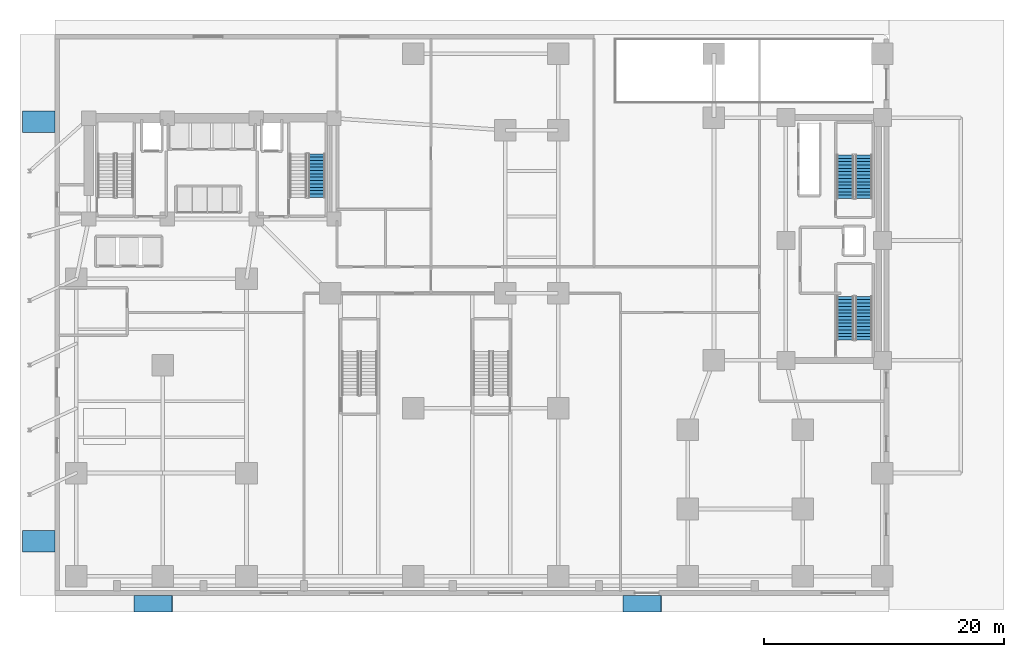
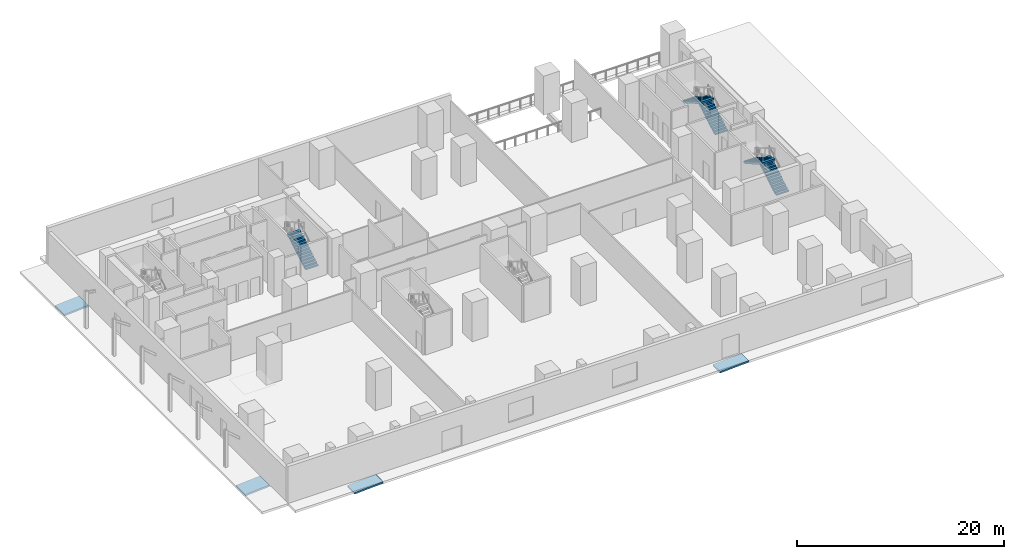
# One storey, part 10 of 14: 5 stair flights, 4 ramp flights, 7 elements without a shape of their own.
"""IFC4 building model written with IfcOpenShell, lengths in metres."""

from ifc_helpers import new_model, si_unit, direction, frame, origin, place, context, subcontext, project, spatial, polyline, outline, extrude, material, layer, layer_set, type_object, element, aggregate, save


model = new_model("IFC4")

# Units and contexts
model_context = context("Model", 3, precision=1e-05, world=origin(), true_north=direction((0.0, 1.0)))
body_context = subcontext(model_context, "Body", "Model", "MODEL_VIEW")
ifc_project = project(units=[si_unit("LENGTHUNIT", "METRE"), si_unit("AREAUNIT", "SQUARE_METRE"), si_unit("VOLUMEUNIT", "CUBIC_METRE"), si_unit("PLANEANGLEUNIT", "RADIAN"), si_unit("MASSUNIT", "GRAM", prefix="KILO")], contexts=[model_context])

# Site, building, storey
site_placement = place(None, origin())
site = spatial("IfcSite", under=ifc_project, at=site_placement, CompositionType="ELEMENT")
building_placement = place(site_placement, origin())
building = spatial("IfcBuilding", under=site, at=building_placement, Name="Kuzgunbayir Cultural Tower", CompositionType="ELEMENT")
storey_placement = place(building_placement, origin())
storey = spatial("IfcBuildingStorey", under=building, at=storey_placement, Name="L00", CompositionType="ELEMENT", Elevation=0.0)

# Stair, stair flight
ifc_material = material(Name="Concrete C40/50", Category="concrete")
stair_type = type_object("IfcStairType", Name="STR-EXIT-CORE", PredefinedType="HALF_TURN_STAIR", material=ifc_material)
stair_1_placement = place(storey_placement, origin())
stair_1 = element("IfcStair", 1, at=stair_1_placement, inside=storey, type_object=stair_type, Name="L00 ST-2", PredefinedType="HALF_TURN_STAIR")
stair_flight_type = type_object("IfcStairFlightType", Name="STRF-RC-140", PredefinedType="STRAIGHT", material=ifc_material)
stair_flight_1_placement = place(storey_placement, frame((25.4599609375, 35.60009765625, 0.0), z_axis=(0.0, 0.0, 1.0), x_axis=(0.0, 1.0, 0.0)))
stair_flight_1 = element("IfcStairFlight", 2, at=stair_flight_1_placement, type_object=stair_flight_type, Name="ST-2 flight 1", NumberOfRisers=14, NumberOfTreads=13, PredefinedType="STRAIGHT", RiserHeight=0.164285714, TreadLength=0.28, context=body_context, shape_type="SweptSolid", body=[
    extrude(outline(polyline([(0.0, 0.0), (0.0, 0.164306640625), (0.280029296875, 0.164306640625), (0.280029296875, 0.32861328125), (0.56005859375, 0.32861328125), (0.56005859375, 0.492919921875), (0.840087890625, 0.492919921875), (0.840087890625, 0.6572265625), (1.1201171875, 0.6572265625), (1.1201171875, 0.821533203125), (1.39990234375, 0.821533203125), (1.39990234375, 0.985595703125), (1.679931640625, 0.985595703125), (1.679931640625, 1.14990234375), (1.9599609375, 1.14990234375), (1.9599609375, 1.314208984375), (2.239990234375, 1.314208984375), (2.239990234375, 1.478515625), (2.52001953125, 1.478515625), (2.52001953125, 1.642822265625), (2.800048828125, 1.642822265625), (2.800048828125, 1.80712890625), (3.080078125, 1.80712890625), (3.080078125, 1.971435546875), (3.360107421875, 1.971435546875), (3.360107421875, 2.1357421875), (3.639892578125, 2.1357421875), (3.639892578125, 2.300048828125), (3.639892578125, 1.927001953125), (0.35546875, 0.0), (0.0, 0.0)])), frame((0.0, 0.699951171875, 0.0), z_axis=(0.0, -1.0, 0.0), x_axis=(1.0, 0.0, 0.0)), (0.0, 0.0, 1.0), 1.39990234375),
])
aggregate(stair_1, [stair_flight_1])

# Stair, stair flights
stair_2_placement = place(storey_placement, origin())
stair_2 = element("IfcStair", 3, at=stair_2_placement, inside=storey, type_object=stair_type, Name="L00 ST-3", PredefinedType="HALF_TURN_STAIR")
stair_flight_2_placement = place(storey_placement, frame((71.10009765625, 23.699951171875, 0.0), z_axis=(0.0, 0.0, 1.0), x_axis=(0.0, 1.0, 0.0)))
stair_flight_2 = element("IfcStairFlight", 4, at=stair_flight_2_placement, type_object=stair_flight_type, Name="ST-3 flight 1", NumberOfRisers=14, NumberOfTreads=13, PredefinedType="STRAIGHT", RiserHeight=0.164285714, TreadLength=0.28, context=body_context, shape_type="SweptSolid", body=[
    extrude(outline(polyline([(0.0, 0.0), (0.0, 0.164306640625), (0.280029296875, 0.164306640625), (0.280029296875, 0.32861328125), (0.56005859375, 0.32861328125), (0.56005859375, 0.492919921875), (0.840087890625, 0.492919921875), (0.840087890625, 0.6572265625), (1.1201171875, 0.6572265625), (1.1201171875, 0.821533203125), (1.39990234375, 0.821533203125), (1.39990234375, 0.985595703125), (1.679931640625, 0.985595703125), (1.679931640625, 1.14990234375), (1.9599609375, 1.14990234375), (1.9599609375, 1.314208984375), (2.239990234375, 1.314208984375), (2.239990234375, 1.478515625), (2.52001953125, 1.478515625), (2.52001953125, 1.642822265625), (2.800048828125, 1.642822265625), (2.800048828125, 1.80712890625), (3.080078125, 1.80712890625), (3.080078125, 1.971435546875), (3.360107421875, 1.971435546875), (3.360107421875, 2.1357421875), (3.639892578125, 2.1357421875), (3.639892578125, 2.300048828125), (3.639892578125, 1.927001953125), (0.35546875, 0.0), (0.0, 0.0)])), frame((0.0, 0.699951171875, 0.0), z_axis=(0.0, -1.0, 0.0), x_axis=(1.0, 0.0, 0.0)), (0.0, 0.0, 1.0), 1.39990234375),
])
stair_flight_3_placement = place(storey_placement, frame((69.5400390625, 27.340087890625, 2.300048828125), z_axis=(0.0, 0.0, 1.0), x_axis=(0.0, -1.0, 0.0)))
stair_flight_3 = element("IfcStairFlight", 5, at=stair_flight_3_placement, type_object=stair_flight_type, Name="ST-3 flight 2", NumberOfRisers=14, NumberOfTreads=13, PredefinedType="STRAIGHT", RiserHeight=0.164285714, TreadLength=0.28, context=body_context, shape_type="SweptSolid", body=[
    extrude(outline(polyline([(0.0, 0.0), (0.0, 0.164306640625), (0.280029296875, 0.164306640625), (0.280029296875, 0.32861328125), (0.56005859375, 0.32861328125), (0.56005859375, 0.492919921875), (0.840087890625, 0.492919921875), (0.840087890625, 0.6572265625), (1.1201171875, 0.6572265625), (1.1201171875, 0.821533203125), (1.39990234375, 0.821533203125), (1.39990234375, 0.985595703125), (1.679931640625, 0.985595703125), (1.679931640625, 1.14990234375), (1.9599609375, 1.14990234375), (1.9599609375, 1.314208984375), (2.239990234375, 1.314208984375), (2.239990234375, 1.478515625), (2.52001953125, 1.478515625), (2.52001953125, 1.642822265625), (2.800048828125, 1.642822265625), (2.800048828125, 1.80712890625), (3.080078125, 1.80712890625), (3.080078125, 1.971435546875), (3.360107421875, 1.971435546875), (3.360107421875, 2.1357421875), (3.639892578125, 2.1357421875), (3.639892578125, 2.300048828125), (3.639892578125, 1.927001953125), (0.35546875, 0.0), (0.0, 0.0)])), frame((0.0, 0.699951171875, 0.0), z_axis=(0.0, -1.0, 0.0), x_axis=(1.0, 0.0, 0.0)), (0.0, 0.0, 1.0), 1.39990234375),
])
aggregate(stair_2, [stair_flight_2, stair_flight_3])

stair_3_placement = place(storey_placement, origin())
stair_3 = element("IfcStair", 6, at=stair_3_placement, inside=storey, type_object=stair_type, Name="L00 ST-4", PredefinedType="HALF_TURN_STAIR")
stair_flight_4_placement = place(storey_placement, frame((71.10009765625, 35.5, 0.0), z_axis=(0.0, 0.0, 1.0), x_axis=(0.0, 1.0, 0.0)))
stair_flight_4 = element("IfcStairFlight", 7, at=stair_flight_4_placement, type_object=stair_flight_type, Name="ST-4 flight 1", NumberOfRisers=14, NumberOfTreads=13, PredefinedType="STRAIGHT", RiserHeight=0.164285714, TreadLength=0.28, context=body_context, shape_type="SweptSolid", body=[
    extrude(outline(polyline([(0.0, 0.0), (0.0, 0.164306640625), (0.280029296875, 0.164306640625), (0.280029296875, 0.32861328125), (0.56005859375, 0.32861328125), (0.56005859375, 0.492919921875), (0.840087890625, 0.492919921875), (0.840087890625, 0.6572265625), (1.1201171875, 0.6572265625), (1.1201171875, 0.821533203125), (1.39990234375, 0.821533203125), (1.39990234375, 0.985595703125), (1.679931640625, 0.985595703125), (1.679931640625, 1.14990234375), (1.9599609375, 1.14990234375), (1.9599609375, 1.314208984375), (2.239990234375, 1.314208984375), (2.239990234375, 1.478515625), (2.52001953125, 1.478515625), (2.52001953125, 1.642822265625), (2.800048828125, 1.642822265625), (2.800048828125, 1.80712890625), (3.080078125, 1.80712890625), (3.080078125, 1.971435546875), (3.360107421875, 1.971435546875), (3.360107421875, 2.1357421875), (3.639892578125, 2.1357421875), (3.639892578125, 2.300048828125), (3.639892578125, 1.927001953125), (0.35546875, 0.0), (0.0, 0.0)])), frame((0.0, 0.699951171875, 0.0), z_axis=(0.0, -1.0, 0.0), x_axis=(1.0, 0.0, 0.0)), (0.0, 0.0, 1.0), 1.39990234375),
])
stair_flight_5_placement = place(storey_placement, frame((69.5400390625, 39.139892578125, 2.300048828125), z_axis=(0.0, 0.0, 1.0), x_axis=(0.0, -1.0, 0.0)))
stair_flight_5 = element("IfcStairFlight", 8, at=stair_flight_5_placement, type_object=stair_flight_type, Name="ST-4 flight 2", NumberOfRisers=14, NumberOfTreads=13, PredefinedType="STRAIGHT", RiserHeight=0.164285714, TreadLength=0.28, context=body_context, shape_type="SweptSolid", body=[
    extrude(outline(polyline([(0.0, 0.0), (0.0, 0.164306640625), (0.280029296875, 0.164306640625), (0.280029296875, 0.32861328125), (0.56005859375, 0.32861328125), (0.56005859375, 0.492919921875), (0.840087890625, 0.492919921875), (0.840087890625, 0.6572265625), (1.1201171875, 0.6572265625), (1.1201171875, 0.821533203125), (1.39990234375, 0.821533203125), (1.39990234375, 0.985595703125), (1.679931640625, 0.985595703125), (1.679931640625, 1.14990234375), (1.9599609375, 1.14990234375), (1.9599609375, 1.314208984375), (2.239990234375, 1.314208984375), (2.239990234375, 1.478515625), (2.52001953125, 1.478515625), (2.52001953125, 1.642822265625), (2.800048828125, 1.642822265625), (2.800048828125, 1.80712890625), (3.080078125, 1.80712890625), (3.080078125, 1.971435546875), (3.360107421875, 1.971435546875), (3.360107421875, 2.1357421875), (3.639892578125, 2.1357421875), (3.639892578125, 2.300048828125), (3.639892578125, 1.927001953125), (0.35546875, 0.0), (0.0, 0.0)])), frame((0.0, 0.699951171875, 0.0), z_axis=(0.0, -1.0, 0.0), x_axis=(1.0, 0.0, 0.0)), (0.0, 0.0, 1.0), 1.39990234375),
])
aggregate(stair_3, [stair_flight_4, stair_flight_5])

# Ramp, ramp flight
ramp_type = type_object("IfcRampType", Name="RMP-ACCESS-1800", PredefinedType="STRAIGHT_RUN_RAMP", material=ifc_material)
ramp_1_placement = place(storey_placement, origin())
ramp_1 = element("IfcRamp", 9, at=ramp_1_placement, inside=storey, type_object=ramp_type, Name="Accessible Entrance Ramp AR-1", PredefinedType="STRAIGHT_RUN_RAMP")
ifc_layer = layer(ifc_material, 0.199951171875)
ifc_layer_set = layer_set([ifc_layer], Name="Concrete C40/50")
ramp_flight_type = type_object("IfcRampFlightType", Name="RMPF-ACCESS-200", PredefinedType="STRAIGHT", material=ifc_layer_set)
ramp_flight_1_placement = place(storey_placement, frame((0.89990234375, 6.0, -0.179931640625), z_axis=(-0.06648907161, 0.0, 0.997787153333), x_axis=(0.997787153333, 0.0, 0.06648907161)))
ramp_flight_1 = element("IfcRampFlight", 10, at=ramp_flight_1_placement, type_object=ramp_flight_type, Name="Accessible Entrance Ramp AR-1 Flight", PredefinedType="STRAIGHT", context=body_context, shape_type="SweptSolid", body=[
    extrude(outline(polyline([(0.0, 0.0), (2.7061836820409986, 0.0), (2.7061836820409986, 1.800048828125), (0.0, 1.800048828125), (0.0, 0.0)])), origin(), (0.0, 0.0, -1.0), 0.199951171875),
])
aggregate(ramp_1, [ramp_flight_1])

ramp_2_placement = place(storey_placement, origin())
ramp_2 = element("IfcRamp", 11, at=ramp_2_placement, inside=storey, type_object=ramp_type, Name="Accessible Entrance Ramp AR-2", PredefinedType="STRAIGHT_RUN_RAMP")
ramp_flight_2_placement = place(storey_placement, frame((0.89990234375, 41.0, -0.179931640625), z_axis=(-0.06648907161, 0.0, 0.997787153333), x_axis=(0.997787153333, 0.0, 0.06648907161)))
ramp_flight_2 = element("IfcRampFlight", 12, at=ramp_flight_2_placement, type_object=ramp_flight_type, Name="Accessible Entrance Ramp AR-2 Flight", PredefinedType="STRAIGHT", context=body_context, shape_type="SweptSolid", body=[
    extrude(outline(polyline([(0.0, 0.0), (2.7061836820409986, 0.0), (2.7061836820409986, 1.800048828125), (0.0, 1.800048828125), (0.0, 0.0)])), origin(), (0.0, 0.0, -1.0), 0.199951171875),
])
aggregate(ramp_2, [ramp_flight_2])

ramp_3_placement = place(storey_placement, origin())
ramp_3 = element("IfcRamp", 13, at=ramp_3_placement, inside=storey, type_object=ramp_type, Name="Accessible Entrance Ramp AR-3", PredefinedType="STRAIGHT_RUN_RAMP")
ramp_flight_3_placement = place(storey_placement, frame((10.199951171875, 1.0, -0.179931640625), z_axis=(-0.056140813949, 0.0, 0.998422860821), x_axis=(0.998422860821, 0.0, 0.056140813949)))
ramp_flight_3 = element("IfcRampFlight", 14, at=ramp_flight_3_placement, type_object=ramp_flight_type, Name="Accessible Entrance Ramp AR-3 Flight", PredefinedType="STRAIGHT", context=body_context, shape_type="SweptSolid", body=[
    extrude(outline(polyline([(0.0, 0.0), (3.2050059122694594, 0.0), (3.2050059122694594, 1.39990234375), (0.0, 1.39990234375), (0.0, 0.0)])), origin(), (0.0, 0.0, -1.0), 0.199951171875),
])
aggregate(ramp_3, [ramp_flight_3])

ramp_4_placement = place(storey_placement, origin())
ramp_4 = element("IfcRamp", 15, at=ramp_4_placement, inside=storey, type_object=ramp_type, Name="Accessible Entrance Ramp AR-4", PredefinedType="STRAIGHT_RUN_RAMP")
ramp_flight_4_placement = place(storey_placement, frame((51.0, 1.0, -0.179931640625), z_axis=(-0.056140813949, 0.0, 0.998422860821), x_axis=(0.998422860821, 0.0, 0.056140813949)))
ramp_flight_4 = element("IfcRampFlight", 16, at=ramp_flight_4_placement, type_object=ramp_flight_type, Name="Accessible Entrance Ramp AR-4 Flight", PredefinedType="STRAIGHT", context=body_context, shape_type="SweptSolid", body=[
    extrude(outline(polyline([(0.0, 0.0), (3.2050059122694594, 0.0), (3.2050059122694594, 1.39990234375), (0.0, 1.39990234375), (0.0, 0.0)])), origin(), (0.0, 0.0, -1.0), 0.199951171875),
])
aggregate(ramp_4, [ramp_flight_4])

save(model, "model.ifc")
